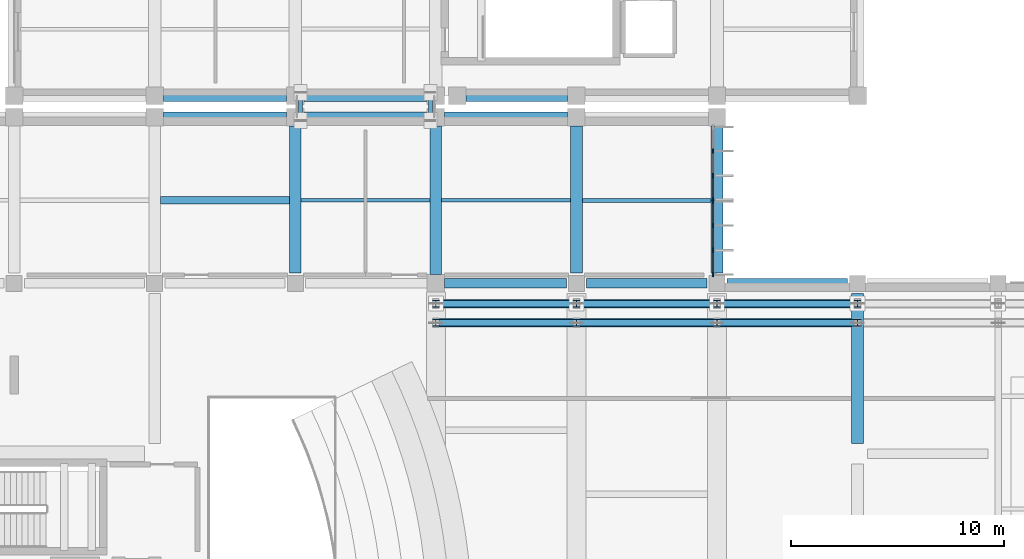
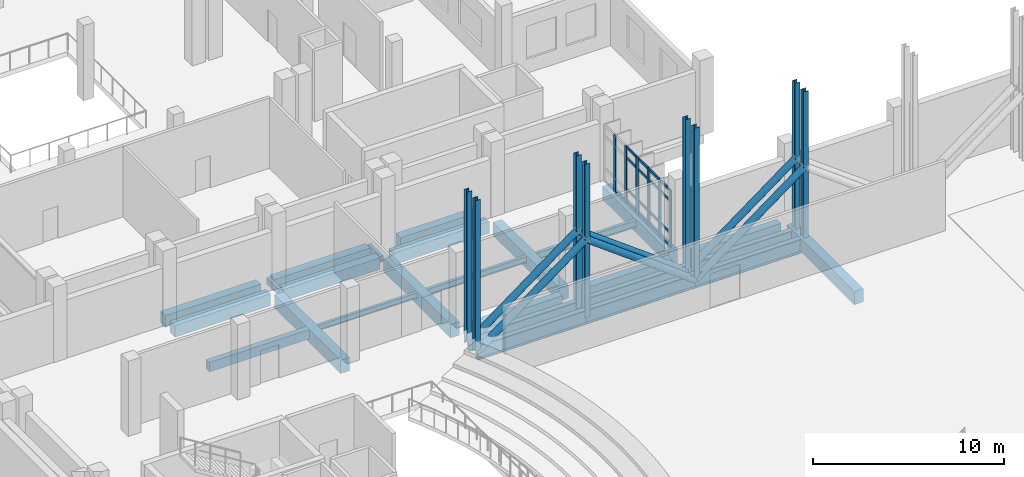
# One storey, part 26 of 73: 44 members, 20 beams, 2 elements without a shape of their own.
"""IFC4 building model written with IfcOpenShell, lengths in metres."""

from ifc_helpers import new_model, si_unit, direction, frame, origin, origin_2d, place, context, subcontext, project, spatial, rectangle, hollow_rectangle, hollow_circle, i_section, extrude, material, layer, layer_set, material_profile, profile_set, type_object, element, aggregate, save


model = new_model("IFC4")

# Units and contexts
model_context = context("Model", 3, precision=1e-05, world=origin(), true_north=direction((0.0, 1.0)))
body_context = subcontext(model_context, "Body", "Model", "MODEL_VIEW")
ifc_project = project(units=[si_unit("LENGTHUNIT", "METRE"), si_unit("AREAUNIT", "SQUARE_METRE"), si_unit("VOLUMEUNIT", "CUBIC_METRE"), si_unit("PLANEANGLEUNIT", "RADIAN"), si_unit("MASSUNIT", "GRAM", prefix="KILO")], contexts=[model_context])

# Site, building, storey
site_placement = place(None, origin())
site = spatial("IfcSite", under=ifc_project, at=site_placement, CompositionType="ELEMENT")
building_placement = place(site_placement, origin())
building = spatial("IfcBuilding", under=site, at=building_placement, Name="Kelarvand Opera House", CompositionType="ELEMENT")
storey_placement = place(building_placement, frame((0.0, 0.0, 10.199951171875)))
storey = spatial("IfcBuildingStorey", under=building, at=storey_placement, Name="L02", CompositionType="ELEMENT", Elevation=10.199951171875)

# Curtain wall, members
ifc_material_1 = material(Name="Thermally broken aluminium and low-E glazing", Category="aluminium")
ifc_layer = layer(ifc_material_1, 0.219970703125, Name="Thermally broken aluminium and low-E glazing", Category="aluminium")
ifc_layer_set = layer_set([ifc_layer], Name="Thermally broken aluminium and low-E glazing")
curtain_wall_type = type_object("IfcCurtainWallType", Name="Unitised Low-E Curtain Wall 3493x3630 Mod 1150 CWF-05", PredefinedType="USERDEFINED", material=ifc_layer_set)
curtain_wall_1_placement = place(storey_placement, origin())
curtain_wall_1 = element("IfcCurtainWall", 1, at=curtain_wall_1_placement, inside=storey, type_object=curtain_wall_type, Name="V1 L02 Curtain Wall CWF-05 (15)", ObjectType="UNITISED CURTAIN WALL", PredefinedType="USERDEFINED")
ifc_material_2 = material(Name="Thermally broken anodised aluminium", Category="aluminium")
ifc_material_profile_1 = material_profile(ifc_material_2, rectangle(XDim=0.074951171875, YDim=0.219970703125, at=origin_2d()), Name="ALU MULLION 75x220", Category="aluminium")
ifc_profile_set_1 = profile_set([ifc_material_profile_1], Name="Thermally broken anodised aluminium")
member_type_1 = type_object("IfcMemberType", Name="Curtain Wall Mullion 75x220 Heavy Plaza", PredefinedType="MULLION", material=ifc_profile_set_1)
member_1_placement = place(storey_placement, frame((128.419921875, 84.615478515625, 0.0), z_axis=(0.0, 0.0, 1.0), x_axis=(1.0, 0.0, 0.0)))
member_1 = element("IfcMember", 2, at=member_1_placement, type_object=member_type_1, Name="CWF-05 mullion 2", PredefinedType="MULLION", context=body_context, shape_type="SweptSolid", body=[
    extrude(rectangle(XDim=0.074951171875, YDim=0.219970703125, at=origin_2d()), origin(), (0.0, 0.0, 1.0), 3.630126953125),
])
member_2_placement = place(storey_placement, frame((128.419921875, 83.450927734375, 0.0), z_axis=(0.0, 0.0, 1.0), x_axis=(1.0, 0.0, 0.0)))
member_2 = element("IfcMember", 3, at=member_2_placement, type_object=member_type_1, Name="CWF-05 mullion 3", PredefinedType="MULLION", context=body_context, shape_type="SweptSolid", body=[
    extrude(rectangle(XDim=0.074951171875, YDim=0.219970703125, at=origin_2d()), origin(), (0.0, 0.0, 1.0), 3.630126953125),
])
member_3_placement = place(storey_placement, frame((128.419921875, 82.323974609375, 0.0), z_axis=(0.0, 0.0, 1.0), x_axis=(1.0, 0.0, 0.0)))
member_3 = element("IfcMember", 4, at=member_3_placement, type_object=member_type_1, Name="CWF-05 mullion 4", PredefinedType="MULLION", context=body_context, shape_type="SweptSolid", body=[
    extrude(rectangle(XDim=0.074951171875, YDim=0.219970703125, at=origin_2d()), origin(), (0.0, 0.0, 1.0), 3.630126953125),
])

curtain_wall_2_placement = place(storey_placement, origin())
curtain_wall_2 = element("IfcCurtainWall", 5, at=curtain_wall_2_placement, inside=storey, type_object=curtain_wall_type, Name="V1 L02 Curtain Wall CWF-05 (16)", ObjectType="UNITISED CURTAIN WALL", PredefinedType="USERDEFINED")
member_4_placement = place(storey_placement, frame((128.419921875, 82.2451171875, 0.0), z_axis=(0.0, 0.0, 1.0), x_axis=(1.0, 0.0, 0.0)))
member_4 = element("IfcMember", 6, at=member_4_placement, type_object=member_type_1, Name="CWF-05 mullion 1", PredefinedType="MULLION", context=body_context, shape_type="SweptSolid", body=[
    extrude(rectangle(XDim=0.074951171875, YDim=0.219970703125, at=origin_2d()), origin(), (0.0, 0.0, 1.0), 3.630126953125),
])
member_5_placement = place(storey_placement, frame((128.419921875, 81.11669921875, 0.0), z_axis=(0.0, 0.0, 1.0), x_axis=(1.0, 0.0, 0.0)))
member_5 = element("IfcMember", 7, at=member_5_placement, type_object=member_type_1, Name="CWF-05 mullion 2", PredefinedType="MULLION", context=body_context, shape_type="SweptSolid", body=[
    extrude(rectangle(XDim=0.074951171875, YDim=0.219970703125, at=origin_2d()), origin(), (0.0, 0.0, 1.0), 3.630126953125),
])
member_6_placement = place(storey_placement, frame((128.419921875, 79.950927734375, 0.0), z_axis=(0.0, 0.0, 1.0), x_axis=(1.0, 0.0, 0.0)))
member_6 = element("IfcMember", 8, at=member_6_placement, type_object=member_type_1, Name="CWF-05 mullion 3", PredefinedType="MULLION", context=body_context, shape_type="SweptSolid", body=[
    extrude(rectangle(XDim=0.074951171875, YDim=0.219970703125, at=origin_2d()), origin(), (0.0, 0.0, 1.0), 3.630126953125),
])
member_7_placement = place(storey_placement, frame((128.419921875, 78.822509765625, 0.0), z_axis=(0.0, 0.0, 1.0), x_axis=(1.0, 0.0, 0.0)))
member_7 = element("IfcMember", 9, at=member_7_placement, type_object=member_type_1, Name="CWF-05 mullion 4", PredefinedType="MULLION", context=body_context, shape_type="SweptSolid", body=[
    extrude(rectangle(XDim=0.074951171875, YDim=0.219970703125, at=origin_2d()), origin(), (0.0, 0.0, 1.0), 3.630126953125),
])

# Member
ifc_material_profile_2 = material_profile(ifc_material_2, rectangle(XDim=0.074951171875, YDim=0.159912109375, at=origin_2d()), Name="ALU TRANSOM 75x160", Category="aluminium")
ifc_profile_set_2 = profile_set([ifc_material_profile_2], Name="Thermally broken anodised aluminium")
member_type_2 = type_object("IfcMemberType", Name="Curtain Wall Transom 75x160 Heavy Plaza", PredefinedType="USERDEFINED", material=ifc_profile_set_2)
member_8_placement = place(storey_placement, frame((128.419921875, 84.577880859375, 0.03759765625), z_axis=(0.0, -1.0, 0.0), x_axis=(1.0, 0.0, 0.0)))
member_8 = element("IfcMember", 10, at=member_8_placement, type_object=member_type_2, Name="CWF-05 transom 2.1", ObjectType="TRANSOM", PredefinedType="USERDEFINED", context=body_context, shape_type="SweptSolid", body=[
    extrude(rectangle(XDim=0.074951171875, YDim=0.159912109375, at=origin_2d()), origin(), (0.0, 0.0, 1.0), 1.08935546875),
])

member_9_placement = place(storey_placement, frame((128.419921875, 83.41357421875, 0.03759765625), z_axis=(0.0, -1.0, 0.0), x_axis=(1.0, 0.0, 0.0)))
member_9 = element("IfcMember", 11, at=member_9_placement, type_object=member_type_2, Name="CWF-05 transom 3.1", ObjectType="TRANSOM", PredefinedType="USERDEFINED", context=body_context, shape_type="SweptSolid", body=[
    extrude(rectangle(XDim=0.074951171875, YDim=0.159912109375, at=origin_2d()), origin(), (0.0, 0.0, 1.0), 1.052001953125),
])

member_10_placement = place(storey_placement, frame((128.419921875, 83.41357421875, 0.900146484375), z_axis=(0.0, -1.0, 0.0), x_axis=(1.0, 0.0, 0.0)))
member_10 = element("IfcMember", 12, at=member_10_placement, type_object=member_type_2, Name="CWF-05 transom 3.2", ObjectType="TRANSOM", PredefinedType="USERDEFINED", context=body_context, shape_type="SweptSolid", body=[
    extrude(rectangle(XDim=0.074951171875, YDim=0.159912109375, at=origin_2d()), origin(), (0.0, 0.0, 1.0), 1.052001953125),
])

member_11_placement = place(storey_placement, frame((128.419921875, 83.41357421875, 2.929931640625), z_axis=(0.0, -1.0, 0.0), x_axis=(1.0, 0.0, 0.0)))
member_11 = element("IfcMember", 13, at=member_11_placement, type_object=member_type_2, Name="CWF-05 transom 3.3", ObjectType="TRANSOM", PredefinedType="USERDEFINED", context=body_context, shape_type="SweptSolid", body=[
    extrude(rectangle(XDim=0.074951171875, YDim=0.159912109375, at=origin_2d()), origin(), (0.0, 0.0, 1.0), 1.052001953125),
])

member_12_placement = place(storey_placement, frame((128.419921875, 83.41357421875, 3.592529296875), z_axis=(0.0, -1.0, 0.0), x_axis=(1.0, 0.0, 0.0)))
member_12 = element("IfcMember", 14, at=member_12_placement, type_object=member_type_2, Name="CWF-05 transom 3.4", ObjectType="TRANSOM", PredefinedType="USERDEFINED", context=body_context, shape_type="SweptSolid", body=[
    extrude(rectangle(XDim=0.074951171875, YDim=0.159912109375, at=origin_2d()), origin(), (0.0, 0.0, 1.0), 1.052001953125),
])

aggregate(curtain_wall_1, [member_1, member_2, member_3, member_8, member_9, member_10, member_11, member_12])

member_13_placement = place(storey_placement, frame((128.419921875, 82.20751953125, 0.03759765625), z_axis=(0.0, -1.0, 0.0), x_axis=(1.0, 0.0, 0.0)))
member_13 = element("IfcMember", 15, at=member_13_placement, type_object=member_type_2, Name="CWF-05 transom 1.1", ObjectType="TRANSOM", PredefinedType="USERDEFINED", context=body_context, shape_type="SweptSolid", body=[
    extrude(rectangle(XDim=0.074951171875, YDim=0.159912109375, at=origin_2d()), origin(), (0.0, 0.0, 1.0), 1.053466796875),
])

member_14_placement = place(storey_placement, frame((128.419921875, 82.20751953125, 0.900146484375), z_axis=(0.0, -1.0, 0.0), x_axis=(1.0, 0.0, 0.0)))
member_14 = element("IfcMember", 16, at=member_14_placement, type_object=member_type_2, Name="CWF-05 transom 1.2", ObjectType="TRANSOM", PredefinedType="USERDEFINED", context=body_context, shape_type="SweptSolid", body=[
    extrude(rectangle(XDim=0.074951171875, YDim=0.159912109375, at=origin_2d()), origin(), (0.0, 0.0, 1.0), 1.053466796875),
])

member_15_placement = place(storey_placement, frame((128.419921875, 82.20751953125, 2.929931640625), z_axis=(0.0, -1.0, 0.0), x_axis=(1.0, 0.0, 0.0)))
member_15 = element("IfcMember", 17, at=member_15_placement, type_object=member_type_2, Name="CWF-05 transom 1.3", ObjectType="TRANSOM", PredefinedType="USERDEFINED", context=body_context, shape_type="SweptSolid", body=[
    extrude(rectangle(XDim=0.074951171875, YDim=0.159912109375, at=origin_2d()), origin(), (0.0, 0.0, 1.0), 1.053466796875),
])

member_16_placement = place(storey_placement, frame((128.419921875, 82.20751953125, 3.592529296875), z_axis=(0.0, -1.0, 0.0), x_axis=(1.0, 0.0, 0.0)))
member_16 = element("IfcMember", 18, at=member_16_placement, type_object=member_type_2, Name="CWF-05 transom 1.4", ObjectType="TRANSOM", PredefinedType="USERDEFINED", context=body_context, shape_type="SweptSolid", body=[
    extrude(rectangle(XDim=0.074951171875, YDim=0.159912109375, at=origin_2d()), origin(), (0.0, 0.0, 1.0), 1.053466796875),
])

member_17_placement = place(storey_placement, frame((128.419921875, 81.0791015625, 0.03759765625), z_axis=(0.0, -1.0, 0.0), x_axis=(1.0, 0.0, 0.0)))
member_17 = element("IfcMember", 19, at=member_17_placement, type_object=member_type_2, Name="CWF-05 transom 2.1", ObjectType="TRANSOM", PredefinedType="USERDEFINED", context=body_context, shape_type="SweptSolid", body=[
    extrude(rectangle(XDim=0.074951171875, YDim=0.159912109375, at=origin_2d()), origin(), (0.0, 0.0, 1.0), 1.0908203125),
])

member_18_placement = place(storey_placement, frame((128.419921875, 81.0791015625, 0.900146484375), z_axis=(0.0, -1.0, 0.0), x_axis=(1.0, 0.0, 0.0)))
member_18 = element("IfcMember", 20, at=member_18_placement, type_object=member_type_2, Name="CWF-05 transom 2.2", ObjectType="TRANSOM", PredefinedType="USERDEFINED", context=body_context, shape_type="SweptSolid", body=[
    extrude(rectangle(XDim=0.074951171875, YDim=0.159912109375, at=origin_2d()), origin(), (0.0, 0.0, 1.0), 1.0908203125),
])

member_19_placement = place(storey_placement, frame((128.419921875, 81.0791015625, 2.929931640625), z_axis=(0.0, -1.0, 0.0), x_axis=(1.0, 0.0, 0.0)))
member_19 = element("IfcMember", 21, at=member_19_placement, type_object=member_type_2, Name="CWF-05 transom 2.3", ObjectType="TRANSOM", PredefinedType="USERDEFINED", context=body_context, shape_type="SweptSolid", body=[
    extrude(rectangle(XDim=0.074951171875, YDim=0.159912109375, at=origin_2d()), origin(), (0.0, 0.0, 1.0), 1.0908203125),
])

member_20_placement = place(storey_placement, frame((128.419921875, 81.0791015625, 3.592529296875), z_axis=(0.0, -1.0, 0.0), x_axis=(1.0, 0.0, 0.0)))
member_20 = element("IfcMember", 22, at=member_20_placement, type_object=member_type_2, Name="CWF-05 transom 2.4", ObjectType="TRANSOM", PredefinedType="USERDEFINED", context=body_context, shape_type="SweptSolid", body=[
    extrude(rectangle(XDim=0.074951171875, YDim=0.159912109375, at=origin_2d()), origin(), (0.0, 0.0, 1.0), 1.0908203125),
])

member_21_placement = place(storey_placement, frame((128.419921875, 79.913330078125, 0.03759765625), z_axis=(0.0, -1.0, 0.0), x_axis=(1.0, 0.0, 0.0)))
member_21 = element("IfcMember", 23, at=member_21_placement, type_object=member_type_2, Name="CWF-05 transom 3.1", ObjectType="TRANSOM", PredefinedType="USERDEFINED", context=body_context, shape_type="SweptSolid", body=[
    extrude(rectangle(XDim=0.074951171875, YDim=0.159912109375, at=origin_2d()), origin(), (0.0, 0.0, 1.0), 1.05322265625),
])

member_22_placement = place(storey_placement, frame((128.419921875, 79.913330078125, 0.900146484375), z_axis=(0.0, -1.0, 0.0), x_axis=(1.0, 0.0, 0.0)))
member_22 = element("IfcMember", 24, at=member_22_placement, type_object=member_type_2, Name="CWF-05 transom 3.2", ObjectType="TRANSOM", PredefinedType="USERDEFINED", context=body_context, shape_type="SweptSolid", body=[
    extrude(rectangle(XDim=0.074951171875, YDim=0.159912109375, at=origin_2d()), origin(), (0.0, 0.0, 1.0), 1.05322265625),
])

member_23_placement = place(storey_placement, frame((128.419921875, 79.913330078125, 2.929931640625), z_axis=(0.0, -1.0, 0.0), x_axis=(1.0, 0.0, 0.0)))
member_23 = element("IfcMember", 25, at=member_23_placement, type_object=member_type_2, Name="CWF-05 transom 3.3", ObjectType="TRANSOM", PredefinedType="USERDEFINED", context=body_context, shape_type="SweptSolid", body=[
    extrude(rectangle(XDim=0.074951171875, YDim=0.159912109375, at=origin_2d()), origin(), (0.0, 0.0, 1.0), 1.05322265625),
])

member_24_placement = place(storey_placement, frame((128.419921875, 79.913330078125, 3.592529296875), z_axis=(0.0, -1.0, 0.0), x_axis=(1.0, 0.0, 0.0)))
member_24 = element("IfcMember", 26, at=member_24_placement, type_object=member_type_2, Name="CWF-05 transom 3.4", ObjectType="TRANSOM", PredefinedType="USERDEFINED", context=body_context, shape_type="SweptSolid", body=[
    extrude(rectangle(XDim=0.074951171875, YDim=0.159912109375, at=origin_2d()), origin(), (0.0, 0.0, 1.0), 1.05322265625),
])

aggregate(curtain_wall_2, [member_4, member_5, member_6, member_7, member_13, member_14, member_15, member_16, member_17, member_18, member_19, member_20, member_21, member_22, member_23, member_24])

# Beams
ifc_material_3 = material(Name="Concrete C35/45", Category="concrete")
ifc_material_profile_3 = material_profile(ifc_material_3, rectangle(XDim=0.35009765625, YDim=0.60009765625, at=origin_2d()), Name="RC 350x600", Category="concrete")
ifc_profile_set_3 = profile_set([ifc_material_profile_3], Name="Concrete C35/45")
beam_type_1 = type_object("IfcBeamType", Name="Structural Beam RC 350x600 BM-RC350x600", PredefinedType="BEAM", material=ifc_profile_set_3)
beam_1_placement = place(storey_placement, frame((102.47509765625, 82.300048828125, -0.619873046875), z_axis=(1.0, 0.0, 0.0), x_axis=(0.0, 1.0, 0.0)))
element("IfcBeam", 27, at=beam_1_placement, inside=storey, type_object=beam_type_1, Name="V1 L02 Beam BM-RC350x600", PredefinedType="BEAM", context=body_context, shape_type="SweptSolid", body=[
    extrude(rectangle(XDim=0.35009765625, YDim=0.60009765625, at=origin_2d()), origin(), (0.0, 0.0, 1.0), 6.0498046875),
])
ifc_material_4 = material(Name="Concrete C40/50", Category="concrete")
ifc_material_profile_4 = material_profile(ifc_material_4, rectangle(XDim=0.449951171875, YDim=0.699951171875, at=origin_2d()), Name="RC 450x700", Category="concrete")
ifc_profile_set_4 = profile_set([ifc_material_profile_4], Name="Concrete C40/50")
beam_type_2 = type_object("IfcBeamType", Name="Structural Beam RC 450x700 BM-RC450x700", PredefinedType="BEAM", material=ifc_profile_set_4)
beam_2_placement = place(storey_placement, frame((115.81005859375, 78.39990234375, -0.669921875), z_axis=(1.0, 0.0, 0.0), x_axis=(0.0, 1.0, 0.0)))
element("IfcBeam", 28, at=beam_2_placement, inside=storey, type_object=beam_type_2, Name="V1 L02 Beam BM-RC450x700", PredefinedType="BEAM", context=body_context, shape_type="SweptSolid", body=[
    extrude(rectangle(XDim=0.449951171875, YDim=0.699951171875, at=origin_2d()), origin(), (0.0, 0.0, 1.0), 5.71484375),
])
beam_3_placement = place(storey_placement, frame((122.47509765625, 78.39990234375, -0.669921875), z_axis=(1.0, 0.0, 0.0), x_axis=(0.0, 1.0, 0.0)))
element("IfcBeam", 29, at=beam_3_placement, inside=storey, type_object=beam_type_2, Name="V1 L02 Beam BM-RC450x700", PredefinedType="BEAM", context=body_context, shape_type="SweptSolid", body=[
    extrude(rectangle(XDim=0.449951171875, YDim=0.699951171875, at=origin_2d()), origin(), (0.0, 0.0, 1.0), 5.64990234375),
])
beam_4_placement = place(storey_placement, frame((129.074951171875, 78.39990234375, -0.669921875), z_axis=(1.0, 0.0, 0.0), x_axis=(0.0, 1.0, 0.0)))
element("IfcBeam", 30, at=beam_4_placement, inside=storey, type_object=beam_type_2, Name="V1 L02 Beam BM-RC450x700", PredefinedType="BEAM", context=body_context, shape_type="SweptSolid", body=[
    extrude(rectangle(XDim=0.449951171875, YDim=0.699951171875, at=origin_2d()), origin(), (0.0, 0.0, 1.0), 5.650146484375),
])
ifc_material_profile_5 = material_profile(ifc_material_4, rectangle(XDim=0.550048828125, YDim=0.85009765625, at=origin_2d()), Name="RC 550x850", Category="concrete")
ifc_profile_set_5 = profile_set([ifc_material_profile_5], Name="Concrete C40/50")
beam_type_3 = type_object("IfcBeamType", Name="Structural Beam RC 550x850 BM-RC550x850", PredefinedType="BEAM", material=ifc_profile_set_5)
beam_5_placement = place(storey_placement, frame((108.800048828125, 78.875, -0.744873046875), z_axis=(0.0, 1.0, 0.0), x_axis=(-1.0, 0.0, 0.0)))
element("IfcBeam", 31, at=beam_5_placement, inside=storey, type_object=beam_type_3, Name="V1 L02 Beam BM-RC550x850", PredefinedType="BEAM", context=body_context, shape_type="SweptSolid", body=[
    extrude(rectangle(XDim=0.550048828125, YDim=0.85009765625, at=origin_2d()), origin(), (0.0, 0.0, 1.0), 6.9150390625),
])
beam_6_placement = place(storey_placement, frame((115.39990234375, 78.81005859375, -0.744873046875), z_axis=(0.0, 1.0, 0.0), x_axis=(-1.0, 0.0, 0.0)))
element("IfcBeam", 32, at=beam_6_placement, inside=storey, type_object=beam_type_3, Name="V1 L02 Beam BM-RC550x850", PredefinedType="BEAM", context=body_context, shape_type="SweptSolid", body=[
    extrude(rectangle(XDim=0.550048828125, YDim=0.85009765625, at=origin_2d()), origin(), (0.0, 0.0, 1.0), 6.97998046875),
])
for number, where, z_axis, x_axis, name in (
    (33, (122.0, 78.875, -0.744873046875), (0.0, 1.0, 0.0), (-1.0, 0.0, 0.0), "V1 L02 Beam BM-RC550x850"),
    (34, (128.60009765625, 78.875, -0.744873046875), (0.0, 1.0, 0.0), (-1.0, 0.0, 0.0), "V1 L02 Beam BM-RC550x850"),
):
    element("IfcBeam", number, at=place(storey_placement, frame(where, z_axis=z_axis, x_axis=x_axis)), inside=storey, type_object=beam_type_3, Name=name, PredefinedType="BEAM", context=body_context, shape_type="SweptSolid", body=[
        extrude(rectangle(XDim=0.550048828125, YDim=0.85009765625, at=origin_2d()), origin(), (0.0, 0.0, 1.0), 6.9150390625),
    ])
beam_7_placement = place(storey_placement, frame((135.199951171875, 70.875, -0.744873046875), z_axis=(0.0, 1.0, 0.0), x_axis=(-1.0, 0.0, 0.0)))
element("IfcBeam", 35, at=beam_7_placement, inside=storey, type_object=beam_type_3, Name="V1 L02 Beam BM-RC550x850", PredefinedType="BEAM", context=body_context, shape_type="SweptSolid", body=[
    extrude(rectangle(XDim=0.550048828125, YDim=0.85009765625, at=origin_2d()), origin(), (0.0, 0.0, 1.0), 7.050048828125),
])
ifc_material_5 = material(Name="Steel S355", Category="steel")
ifc_material_profile_6 = material_profile(ifc_material_5, hollow_rectangle(XDim=0.199951171875, YDim=0.39990234375, WallThickness=0.01611328125, at=origin_2d()), Name="RHS 400x200x16.0", Category="steel")
ifc_profile_set_6 = profile_set([ifc_material_profile_6], Name="Steel S355")
beam_type_4 = type_object("IfcBeamType", Name="Structural Beam RHS 400x200x16.0 BM-RHS400", PredefinedType="BEAM", material=ifc_profile_set_6)
for number, where, z_axis, x_axis, name in (
    (36, (109.050048828125, 86.050048828125, -0.52001953125), (0.0, 1.0, 0.0), (-1.0, 0.0, 0.0), "Seismic Sliding Corbel Beam BR-JN-E L02 1"),
    (37, (115.14990234375, 86.050048828125, -0.52001953125), (0.0, 1.0, 0.0), (-1.0, 0.0, 0.0), "Seismic Sliding Corbel Beam BR-JN-E L02 2"),
):
    element("IfcBeam", number, at=place(storey_placement, frame(where, z_axis=z_axis, x_axis=x_axis)), inside=storey, type_object=beam_type_4, Name=name, PredefinedType="BEAM", context=body_context, shape_type="SweptSolid", body=[
        extrude(hollow_rectangle(XDim=0.199951171875, YDim=0.39990234375, WallThickness=0.01611328125, at=origin_2d()), origin(), (0.0, 0.0, 1.0), 1.300048828125),
    ])

# Members
ifc_material_profile_7 = material_profile(ifc_material_5, hollow_circle(Radius=0.203125, WallThickness=0.02001953125, at=origin_2d()), Name="CHS 406.4x20.0", Category="steel")
ifc_profile_set_7 = profile_set([ifc_material_profile_7], Name="Steel S355")
member_type_3 = type_object("IfcMemberType", Name="Structural Brace CHS 406.4x20.0 BR-CHS406", PredefinedType="BRACE", material=ifc_profile_set_7)
for number, where, z_axis, x_axis, name in (
    (38, (115.39990234375, 76.550048828125, -0.77001953125), (0.802905894213, 0.0, 0.596105800205), (0.0, 1.0, 0.0), "Cantilever Truss CT3 Lower Diagonal 1"),
    (39, (122.0, 76.550048828125, 4.130126953125), (0.802905894213, 0.0, -0.596105800205), (0.0, 1.0, 0.0), "Cantilever Truss CT3 Lower Diagonal 2"),
):
    element("IfcMember", number, at=place(storey_placement, frame(where, z_axis=z_axis, x_axis=x_axis)), inside=storey, type_object=member_type_3, Name=name, PredefinedType="BRACE", context=body_context, shape_type="SweptSolid", body=[
        extrude(hollow_circle(Radius=0.203125, WallThickness=0.02001953125, at=origin_2d()), origin(), (0.0, 0.0, 1.0), 8.22021484375),
    ])
member_25_placement = place(storey_placement, frame((128.60009765625, 76.550048828125, -0.77001953125), z_axis=(0.802895340226, 0.0, 0.596120015302), x_axis=(0.0, 1.0, 0.0)))
element("IfcMember", 40, at=member_25_placement, inside=storey, type_object=member_type_3, Name="Cantilever Truss CT3 Lower Diagonal 3", PredefinedType="BRACE", context=body_context, shape_type="SweptSolid", body=[
    extrude(hollow_circle(Radius=0.203125, WallThickness=0.02001953125, at=origin_2d()), origin(), (0.0, 0.0, 1.0), 8.219970703125),
])
for number, where, z_axis, x_axis, name in (
    (41, (115.39990234375, 77.449951171875, -0.77001953125), (0.802905894213, 0.0, 0.596105800205), (0.0, 1.0, 0.0), "Cantilever Truss CT4 Lower Diagonal 1"),
    (42, (122.0, 77.449951171875, 4.130126953125), (0.802905894213, 0.0, -0.596105800205), (0.0, 1.0, 0.0), "Cantilever Truss CT4 Lower Diagonal 2"),
):
    element("IfcMember", number, at=place(storey_placement, frame(where, z_axis=z_axis, x_axis=x_axis)), inside=storey, type_object=member_type_3, Name=name, PredefinedType="BRACE", context=body_context, shape_type="SweptSolid", body=[
        extrude(hollow_circle(Radius=0.203125, WallThickness=0.02001953125, at=origin_2d()), origin(), (0.0, 0.0, 1.0), 8.22021484375),
    ])
member_26_placement = place(storey_placement, frame((128.60009765625, 77.449951171875, -0.77001953125), z_axis=(0.802895340226, 0.0, 0.596120015302), x_axis=(0.0, 1.0, 0.0)))
element("IfcMember", 43, at=member_26_placement, inside=storey, type_object=member_type_3, Name="Cantilever Truss CT4 Lower Diagonal 3", PredefinedType="BRACE", context=body_context, shape_type="SweptSolid", body=[
    extrude(hollow_circle(Radius=0.203125, WallThickness=0.02001953125, at=origin_2d()), origin(), (0.0, 0.0, 1.0), 8.219970703125),
])
ifc_material_profile_8 = material_profile(ifc_material_5, i_section(OverallWidth=0.300048828125, OverallDepth=0.89990234375, WebThickness=0.0185546875, FlangeThickness=0.034912109375, at=origin_2d()), Name="HEB 900", Category="steel")
ifc_profile_set_8 = profile_set([ifc_material_profile_8], Name="Steel S355")
member_type_4 = type_object("IfcMemberType", Name="Structural Chord HEB 900 CH-HEB900", PredefinedType="CHORD", material=ifc_profile_set_8)
for number, where, z_axis, x_axis, name in (
    (44, (115.39990234375, 76.550048828125, -0.77001953125), (1.0, 0.0, 0.0), (0.0, 1.0, 0.0), "Cantilever Truss CT3 Bottom Chord 1"),
    (45, (122.0, 76.550048828125, -0.77001953125), (1.0, 0.0, 0.0), (0.0, 1.0, 0.0), "Cantilever Truss CT3 Bottom Chord 2"),
):
    element("IfcMember", number, at=place(storey_placement, frame(where, z_axis=z_axis, x_axis=x_axis)), inside=storey, type_object=member_type_4, Name=name, PredefinedType="CHORD", context=body_context, shape_type="SweptSolid", body=[
        extrude(i_section(OverallWidth=0.300048828125, OverallDepth=0.89990234375, WebThickness=0.0185546875, FlangeThickness=0.034912109375, at=origin_2d()), origin(), (0.0, 0.0, 1.0), 6.60009765625),
    ])
member_27_placement = place(storey_placement, frame((128.60009765625, 76.550048828125, -0.77001953125), z_axis=(1.0, 0.0, 0.0), x_axis=(0.0, 1.0, 0.0)))
element("IfcMember", 46, at=member_27_placement, inside=storey, type_object=member_type_4, Name="Cantilever Truss CT3 Bottom Chord 3", PredefinedType="CHORD", context=body_context, shape_type="SweptSolid", body=[
    extrude(i_section(OverallWidth=0.300048828125, OverallDepth=0.89990234375, WebThickness=0.0185546875, FlangeThickness=0.034912109375, at=origin_2d()), origin(), (0.0, 0.0, 1.0), 6.599853515625),
])
for number, where, z_axis, x_axis, name in (
    (47, (115.39990234375, 77.449951171875, -0.77001953125), (1.0, 0.0, 0.0), (0.0, 1.0, 0.0), "Cantilever Truss CT4 Bottom Chord 1"),
    (48, (122.0, 77.449951171875, -0.77001953125), (1.0, 0.0, 0.0), (0.0, 1.0, 0.0), "Cantilever Truss CT4 Bottom Chord 2"),
):
    element("IfcMember", number, at=place(storey_placement, frame(where, z_axis=z_axis, x_axis=x_axis)), inside=storey, type_object=member_type_4, Name=name, PredefinedType="CHORD", context=body_context, shape_type="SweptSolid", body=[
        extrude(i_section(OverallWidth=0.300048828125, OverallDepth=0.89990234375, WebThickness=0.0185546875, FlangeThickness=0.034912109375, at=origin_2d()), origin(), (0.0, 0.0, 1.0), 6.60009765625),
    ])
member_28_placement = place(storey_placement, frame((128.60009765625, 77.449951171875, -0.77001953125), z_axis=(1.0, 0.0, 0.0), x_axis=(0.0, 1.0, 0.0)))
element("IfcMember", 49, at=member_28_placement, inside=storey, type_object=member_type_4, Name="Cantilever Truss CT4 Bottom Chord 3", PredefinedType="CHORD", context=body_context, shape_type="SweptSolid", body=[
    extrude(i_section(OverallWidth=0.300048828125, OverallDepth=0.89990234375, WebThickness=0.0185546875, FlangeThickness=0.034912109375, at=origin_2d()), origin(), (0.0, 0.0, 1.0), 6.599853515625),
])

# Beams
ifc_material_profile_9 = material_profile(ifc_material_5, i_section(OverallWidth=0.169921875, OverallDepth=0.360107421875, WebThickness=0.008056640625, FlangeThickness=0.0126953125, at=origin_2d()), Name="IPE 360", Category="steel")
ifc_profile_set_9 = profile_set([ifc_material_profile_9], Name="Steel S355")
beam_type_5 = type_object("IfcBeamType", Name="Structural Joist IPE 360 JS-IPE360", PredefinedType="JOIST", material=ifc_profile_set_9)
beam_8_placement = place(storey_placement, frame((109.074951171875, 82.300048828125, -0.5), z_axis=(1.0, 0.0, 0.0), x_axis=(0.0, 1.0, 0.0)))
element("IfcBeam", 50, at=beam_8_placement, inside=storey, type_object=beam_type_5, Name="V1 L02 Beam JS-IPE360", PredefinedType="JOIST", context=body_context, shape_type="SweptSolid", body=[
    extrude(i_section(OverallWidth=0.169921875, OverallDepth=0.360107421875, WebThickness=0.008056640625, FlangeThickness=0.0126953125, at=origin_2d()), origin(), (0.0, 0.0, 1.0), 6.050048828125),
])
ifc_material_profile_10 = material_profile(ifc_material_5, i_section(OverallWidth=0.179931640625, OverallDepth=0.39990234375, WebThickness=0.008544921875, FlangeThickness=0.013427734375, at=origin_2d()), Name="IPE 400", Category="steel")
ifc_profile_set_10 = profile_set([ifc_material_profile_10], Name="Steel S355")
beam_type_6 = type_object("IfcBeamType", Name="Structural Joist IPE 400 JS-IPE400", PredefinedType="JOIST", material=ifc_profile_set_10)
beam_9_placement = place(storey_placement, frame((115.675048828125, 82.300048828125, -0.52001953125), z_axis=(1.0, 0.0, 0.0), x_axis=(0.0, 1.0, 0.0)))
element("IfcBeam", 51, at=beam_9_placement, inside=storey, type_object=beam_type_6, Name="V1 L02 Beam JS-IPE400", PredefinedType="JOIST", context=body_context, shape_type="SweptSolid", body=[
    extrude(i_section(OverallWidth=0.179931640625, OverallDepth=0.39990234375, WebThickness=0.008544921875, FlangeThickness=0.013427734375, at=origin_2d()), origin(), (0.0, 0.0, 1.0), 6.050048828125),
])
ifc_material_profile_11 = material_profile(ifc_material_5, i_section(OverallWidth=0.18994140625, OverallDepth=0.449951171875, WebThickness=0.009521484375, FlangeThickness=0.0146484375, at=origin_2d()), Name="IPE 450", Category="steel")
ifc_profile_set_11 = profile_set([ifc_material_profile_11], Name="Steel S355")
beam_type_7 = type_object("IfcBeamType", Name="Structural Joist IPE 450 JS-IPE450", PredefinedType="JOIST", material=ifc_profile_set_11)
beam_10_placement = place(storey_placement, frame((122.27490234375, 82.300048828125, -0.544921875), z_axis=(1.0, 0.0, 0.0), x_axis=(0.0, 1.0, 0.0)))
element("IfcBeam", 52, at=beam_10_placement, inside=storey, type_object=beam_type_7, Name="V1 L02 Beam JS-IPE450", PredefinedType="JOIST", context=body_context, shape_type="SweptSolid", body=[
    extrude(i_section(OverallWidth=0.18994140625, OverallDepth=0.449951171875, WebThickness=0.009521484375, FlangeThickness=0.0146484375, at=origin_2d()), origin(), (0.0, 0.0, 1.0), 6.050048828125),
])

# Members
ifc_material_profile_12 = material_profile(ifc_material_5, i_section(OverallWidth=0.300048828125, OverallDepth=0.320068359375, WebThickness=0.011474609375, FlangeThickness=0.0205078125, at=origin_2d()), Name="HEB 320", Category="steel")
ifc_profile_set_12 = profile_set([ifc_material_profile_12], Name="Steel S355")
member_type_5 = type_object("IfcMemberType", Name="Structural Post HEB 320 PS-HEB320", PredefinedType="POST", material=ifc_profile_set_12)
for number, where, z_axis, x_axis, name in (
    (53, (115.39990234375, 76.550048828125, -0.77001953125), (0.0, 0.0, 1.0), (1.0, 0.0, 0.0), "Cantilever Truss CT3 Vertical Post 1"),
    (54, (122.0, 76.550048828125, -0.77001953125), (0.0, 0.0, 1.0), (1.0, 0.0, 0.0), "Cantilever Truss CT3 Vertical Post 2"),
    (55, (128.60009765625, 76.550048828125, -0.77001953125), (0.0, 0.0, 1.0), (1.0, 0.0, 0.0), "Cantilever Truss CT3 Vertical Post 3"),
    (56, (135.199951171875, 76.550048828125, -0.77001953125), (0.0, 0.0, 1.0), (1.0, 0.0, 0.0), "Cantilever Truss CT3 Vertical Post 4"),
    (57, (115.39990234375, 77.449951171875, -0.77001953125), (0.0, 0.0, 1.0), (1.0, 0.0, 0.0), "Cantilever Truss CT4 Vertical Post 1"),
    (58, (122.0, 77.449951171875, -0.77001953125), (0.0, 0.0, 1.0), (1.0, 0.0, 0.0), "Cantilever Truss CT4 Vertical Post 2"),
    (59, (128.60009765625, 77.449951171875, -0.77001953125), (0.0, 0.0, 1.0), (1.0, 0.0, 0.0), "Cantilever Truss CT4 Vertical Post 3"),
    (60, (135.199951171875, 77.449951171875, -0.77001953125), (0.0, 0.0, 1.0), (1.0, 0.0, 0.0), "Cantilever Truss CT4 Vertical Post 4"),
):
    element("IfcMember", number, at=place(storey_placement, frame(where, z_axis=z_axis, x_axis=x_axis)), inside=storey, type_object=member_type_5, Name=name, PredefinedType="POST", context=body_context, shape_type="SweptSolid", body=[
        extrude(i_section(OverallWidth=0.300048828125, OverallDepth=0.320068359375, WebThickness=0.011474609375, FlangeThickness=0.0205078125, at=origin_2d()), origin(), (0.0, 0.0, 1.0), 9.7900390625),
    ])

# Beams
ifc_material_profile_13 = material_profile(ifc_material_4, rectangle(XDim=0.5, YDim=0.75, at=origin_2d()), Name="RC 500x750", Category="concrete")
ifc_profile_set_13 = profile_set([ifc_material_profile_13], Name="Concrete C40/50")
beam_type_8 = type_object("IfcBeamType", Name="Structural Spandrel RC 500x750 SP-RC500x750E", PredefinedType="SPANDREL", material=ifc_profile_set_13)
beam_11_placement = place(storey_placement, frame((102.610107421875, 86.199951171875, -0.695068359375), z_axis=(1.0, 0.0, 0.0), x_axis=(0.0, 1.0, 0.0)))
element("IfcBeam", 61, at=beam_11_placement, inside=storey, type_object=beam_type_8, Name="V1 L02 Beam SP-RC500x750E", PredefinedType="SPANDREL", context=body_context, shape_type="SweptSolid", body=[
    extrude(rectangle(XDim=0.5, YDim=0.75, at=origin_2d()), origin(), (0.0, 0.0, 1.0), 5.77978515625),
])
for number, where, z_axis, x_axis, name in (
    (62, (109.2099609375, 86.199951171875, -0.695068359375), (1.0, 0.0, 0.0), (0.0, 1.0, 0.0), "V1 L02 Beam SP-RC500x750E"),
    (63, (115.81005859375, 86.199951171875, -0.695068359375), (1.0, 0.0, 0.0), (0.0, 1.0, 0.0), "V1 L02 Beam SP-RC500x750E"),
):
    element("IfcBeam", number, at=place(storey_placement, frame(where, z_axis=z_axis, x_axis=x_axis)), inside=storey, type_object=beam_type_8, Name=name, PredefinedType="SPANDREL", context=body_context, shape_type="SweptSolid", body=[
        extrude(rectangle(XDim=0.5, YDim=0.75, at=origin_2d()), origin(), (0.0, 0.0, 1.0), 5.780029296875),
    ])
beam_12_placement = place(storey_placement, frame((102.610107421875, 87.199951171875, -0.675048828125), z_axis=(1.0, 0.0, 0.0), x_axis=(0.0, 1.0, 0.0)))
element("IfcBeam", 64, at=beam_12_placement, inside=storey, type_object=beam_type_8, Name="V5 L02 Beam SP-RC500x750E", PredefinedType="SPANDREL", context=body_context, shape_type="SweptSolid", body=[
    extrude(rectangle(XDim=0.5, YDim=0.75, at=origin_2d()), origin(), (0.0, 0.0, 1.0), 5.77978515625),
])
beam_13_placement = place(storey_placement, frame((109.2099609375, 87.199951171875, -0.675048828125), z_axis=(1.0, 0.0, 0.0), x_axis=(0.0, 1.0, 0.0)))
element("IfcBeam", 65, at=beam_13_placement, inside=storey, type_object=beam_type_8, Name="V5 L02 Beam SP-RC500x750E", PredefinedType="SPANDREL", context=body_context, shape_type="SweptSolid", body=[
    extrude(rectangle(XDim=0.5, YDim=0.75, at=origin_2d()), origin(), (0.0, 0.0, 1.0), 5.780029296875),
])
beam_14_placement = place(storey_placement, frame((116.81005859375, 87.199951171875, -0.675048828125), z_axis=(1.0, 0.0, 0.0), x_axis=(0.0, 1.0, 0.0)))
element("IfcBeam", 66, at=beam_14_placement, inside=storey, type_object=beam_type_8, Name="V5 L02 Beam SP-RC500x750E", PredefinedType="SPANDREL", context=body_context, shape_type="SweptSolid", body=[
    extrude(rectangle(XDim=0.5, YDim=0.75, at=origin_2d()), origin(), (0.0, 0.0, 1.0), 4.780029296875),
])

save(model, "model.ifc")
